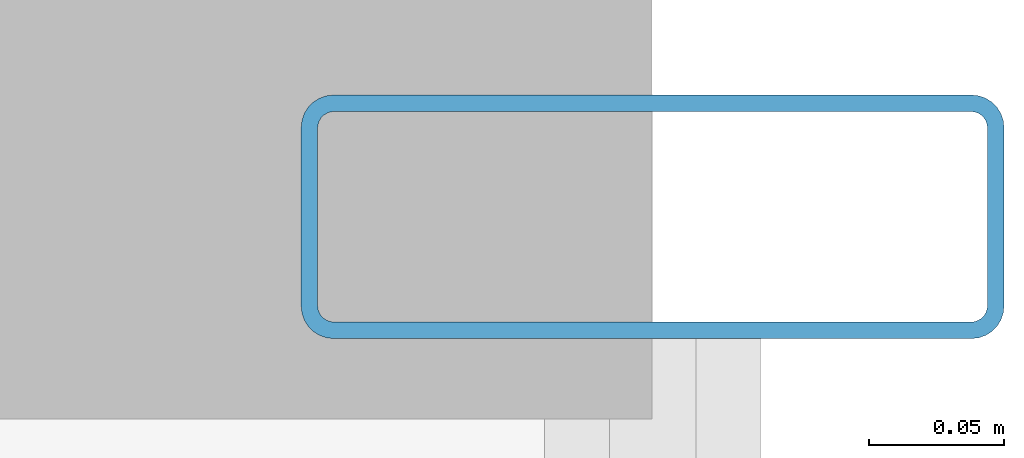
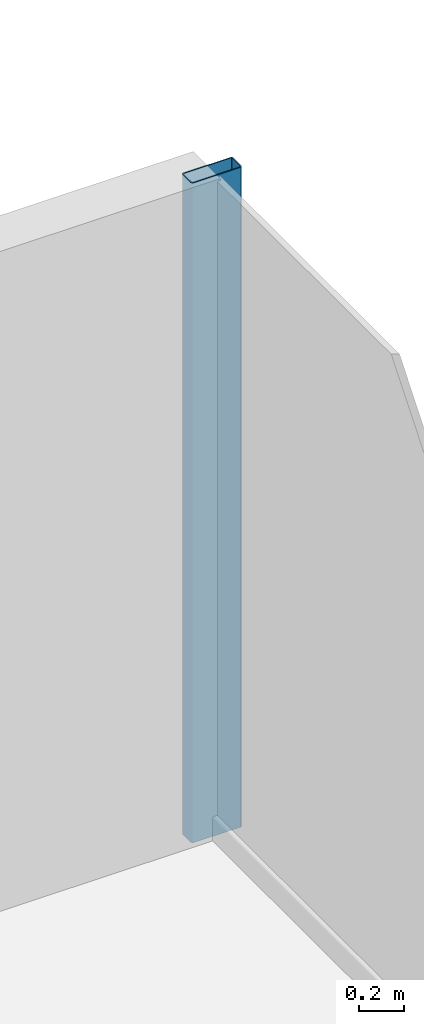
# One storey, part 18 of 26: 1 member, 1 element without a shape of its own.
"""IFC4 building model written with IfcOpenShell, lengths in metres."""

import ifcopenshell
import ifcopenshell.guid

model = None  # the IFC model being written
_history = None  # IfcOwnerHistory: only IFC2X3 demands one
_inside = {}  # id of a spatial element -> (the spatial element, [elements in it])
_under = {}  # id of a project, library or spatial element -> (it, [spatial elements below it])
_declared = {}  # id of a project -> (the project, [libraries it declares])
_typed = {}  # id of a type object -> (the type object, [elements of that type])
_made_of = {}  # id of a material, layer set ... -> (it, [elements and type objects made of it])


def new_model(schema):
    """Start an empty IFC model of exactly this schema.

    Asked for "IFC4X3", IfcOpenShell would pick the latest addendum, in which some entities
    have other attributes; the version numbers below select the first issue.
    IFC2X3 requires an IfcOwnerHistory on every rooted entity: one is made here for all.
    """
    global model, _history
    if schema == "IFC4X3":
        model = ifcopenshell.file(schema_version=(4, 3, 0, 0))
    else:
        model = ifcopenshell.file(schema=schema)
    _inside.clear()
    _under.clear()
    _declared.clear()
    _typed.clear()
    _made_of.clear()
    _history = None
    if model.schema == "IFC2X3":
        org = make("IfcOrganization", Name="unknown")
        user = make(
            "IfcPersonAndOrganization",
            ThePerson=make("IfcPerson", FamilyName="unknown"),
            TheOrganization=org,
        )
        app = make(
            "IfcApplication",
            ApplicationDeveloper=org,
            Version="unknown",
            ApplicationFullName="unknown",
            ApplicationIdentifier="unknown",
        )
        _history = make(
            "IfcOwnerHistory",
            OwningUser=user,
            OwningApplication=app,
            ChangeAction="ADDED",
            CreationDate=0,
        )
    return model


def make(cls, **values):
    """One entity of the class cls with the attributes given. An attribute that is None is left unset."""
    return model.create_entity(
        cls, **{name: value for name, value in values.items() if value is not None}
    )


def rooted(cls, **values):
    """An entity with a GlobalId (a new one), such as an element, a storey or a relation."""
    return make(cls, GlobalId=ifcopenshell.guid.new(), OwnerHistory=_history, **values)


def si_unit(unit_type, name, prefix=None):
    """IfcSIUnit, for example si_unit("LENGTHUNIT", "METRE", prefix="MILLI")."""
    return make("IfcSIUnit", UnitType=unit_type, Prefix=prefix, Name=name)


def assignment(units):
    """IfcUnitAssignment: the units of a project."""
    return None if units is None else make("IfcUnitAssignment", Units=units)


def point(xyz):
    """IfcCartesianPoint."""
    return None if xyz is None else make("IfcCartesianPoint", Coordinates=xyz)


def direction(xyz):
    """IfcDirection."""
    return None if xyz is None else make("IfcDirection", DirectionRatios=xyz)


def frame(location, z_axis=None, x_axis=None):
    """IfcAxis2Placement3D, a coordinate frame: its origin and axes. An axis left out is left unset."""
    return make(
        "IfcAxis2Placement3D",
        Location=point(location),
        Axis=direction(z_axis),
        RefDirection=direction(x_axis),
    )


def frame_2d(location, x_axis=None):
    """IfcAxis2Placement2D, a coordinate frame in the plane: its origin and x axis."""
    return make(
        "IfcAxis2Placement2D", Location=point(location), RefDirection=direction(x_axis)
    )


def origin():
    """The frame at (0, 0, 0) with its axes left unset."""
    return frame((0.0, 0.0, 0.0))


def origin_2d():
    """The frame at (0, 0) in the plane with its x axis left unset."""
    return frame_2d((0.0, 0.0))


def place(relative_to, where):
    """IfcLocalPlacement: puts the frame where relative to a parent placement (None: the world)."""
    return make(
        "IfcLocalPlacement", PlacementRelTo=relative_to, RelativePlacement=where
    )


def context(
    kind, dimensions, precision=None, world=None, true_north=None, identifier=None
):
    """IfcGeometricRepresentationContext, for example the 3D "Model" context."""
    return make(
        "IfcGeometricRepresentationContext",
        ContextIdentifier=identifier,
        ContextType=kind,
        CoordinateSpaceDimension=dimensions,
        Precision=precision,
        WorldCoordinateSystem=world,
        TrueNorth=true_north,
    )


def subcontext(parent, identifier, kind, view, scale=None):
    """IfcGeometricRepresentationSubContext, for example "Body" below "Model"."""
    return make(
        "IfcGeometricRepresentationSubContext",
        ContextIdentifier=identifier,
        ContextType=kind,
        ParentContext=parent,
        TargetScale=scale,
        TargetView=view,
    )


def project(units=None, contexts=None):
    """IfcProject with its units and contexts."""
    return rooted(
        "IfcProject",
        Name="project",
        RepresentationContexts=contexts,
        UnitsInContext=assignment(units),
    )


def spatial(cls, under=None, at=None, **own):
    """A site, building, storey or space (cls), placed at a placement, below another one or the project."""
    s = rooted(cls, ObjectPlacement=at, **own)
    if under is not None:
        _under.setdefault(under.id(), (under, []))[1].append(s)
    return s


def profile(cls, at=None, kind="AREA", **sizes):
    """A parametric profile (cls). Its sizes go by their IFC names, for example OverallWidth=200.0."""
    return make(cls, ProfileType=kind, Position=at, **sizes)


def hollow_rectangle(**sizes):
    """IfcRectangleHollowProfileDef."""
    return profile("IfcRectangleHollowProfileDef", **sizes)


def extrude(swept, where, along, depth):
    """IfcExtrudedAreaSolid: the profile swept, set in the frame where, extruded along a direction by depth."""
    return make(
        "IfcExtrudedAreaSolid",
        SweptArea=swept,
        Position=where,
        ExtrudedDirection=direction(along),
        Depth=depth,
    )


def shape(context_of_items, identifier, shape_type, items):
    """IfcShapeRepresentation: the items that make up one representation, for example the "Body"."""
    return make(
        "IfcShapeRepresentation",
        ContextOfItems=context_of_items,
        RepresentationIdentifier=identifier,
        RepresentationType=shape_type,
        Items=items,
    )


def source(mapping_origin, context_of_items, identifier, shape_type, items):
    """IfcRepresentationMap: a shape defined once, which mapped items show again and again."""
    return make(
        "IfcRepresentationMap",
        MappingOrigin=mapping_origin,
        MappedRepresentation=shape(context_of_items, identifier, shape_type, items),
    )


def transform(
    local_origin,
    x_axis=None,
    y_axis=None,
    z_axis=None,
    scale=None,
    scale2=None,
    scale3=None,
    uniform=True,
):
    """IfcCartesianTransformationOperator3D, or its non-uniform kind. x_axis, y_axis, z_axis: its Axis1, 2, 3."""
    if uniform:
        return make(
            "IfcCartesianTransformationOperator3D",
            Axis1=direction(x_axis),
            Axis2=direction(y_axis),
            LocalOrigin=point(local_origin),
            Scale=scale,
            Axis3=direction(z_axis),
        )
    return make(
        "IfcCartesianTransformationOperator3DnonUniform",
        Axis1=direction(x_axis),
        Axis2=direction(y_axis),
        LocalOrigin=point(local_origin),
        Scale=scale,
        Axis3=direction(z_axis),
        Scale2=scale2,
        Scale3=scale3,
    )


def mapped(mapping_source, mapping_target):
    """IfcMappedItem: shows the shape of a source again, moved by a transform."""
    return make(
        "IfcMappedItem", MappingSource=mapping_source, MappingTarget=mapping_target
    )


def material(Name=None, Category=None):
    """IfcMaterial."""
    return make("IfcMaterial", Name=Name, Category=Category)


def layer(
    of_material, thickness, ventilated=None, Name=None, Category=None, Priority=None
):
    """IfcMaterialLayer: one layer of a wall or slab, of a material (None: an air gap)."""
    return make(
        "IfcMaterialLayer",
        Material=of_material,
        LayerThickness=thickness,
        IsVentilated=ventilated,
        Name=Name,
        Category=Category,
        Priority=Priority,
    )


def layer_set(layers, Name=None):
    """IfcMaterialLayerSet."""
    return make("IfcMaterialLayerSet", MaterialLayers=layers, LayerSetName=Name)


def material_profile(
    of_material, cross_section, Name=None, Category=None, Priority=None
):
    """IfcMaterialProfile: a cross section and its material."""
    return make(
        "IfcMaterialProfile",
        Name=Name,
        Material=of_material,
        Profile=cross_section,
        Priority=Priority,
        Category=Category,
    )


def profile_set(profiles, Name=None, composite=None):
    """IfcMaterialProfileSet."""
    return make(
        "IfcMaterialProfileSet",
        Name=Name,
        MaterialProfiles=profiles,
        CompositeProfile=composite,
    )


def made_of(thing, what):
    """Note that an element or type object is made of a material, layer set ...; save() writes the relation."""
    if what is not None:
        _made_of.setdefault(what.id(), (what, []))[1].append(thing)
    return thing


def type_object(cls, material=None, **own):
    """A type object (cls), such as IfcWallType, which elements share."""
    return made_of(rooted(cls, **own), material)


def element(
    cls,
    number,
    at=None,
    inside=None,
    cuts=None,
    type_object=None,
    material=None,
    context=None,
    identifier="Body",
    shape_type=None,
    held_by="IfcProductDefinitionShape",
    body=None,
    shapes=None,
    **own,
):
    """One element of the class cls, such as IfcWall. Its Tag is "e" and its number.

    at: its placement. inside: the storey or other place that contains it. cuts: it is an
    opening in that element (IfcRelVoidsElement). A single representation is given by context,
    identifier, shape_type and body (its items); several are given by shapes. held_by: the class
    of the entity that holds the representations. save() writes the other relations.
    """
    e = rooted(cls, Tag="e%d" % number, ObjectPlacement=at, **own)
    if body is not None:
        shapes = [shape(context, identifier, shape_type, body)]
    if shapes is not None:
        e.Representation = make(held_by, Representations=shapes)
    if inside is not None:
        _inside.setdefault(inside.id(), (inside, []))[1].append(e)
    if cuts is not None:
        rooted(
            "IfcRelVoidsElement", RelatingBuildingElement=cuts, RelatedOpeningElement=e
        )
    if type_object is not None:
        _typed.setdefault(type_object.id(), (type_object, []))[1].append(e)
    return made_of(e, material)


def aggregate(whole, parts):
    """IfcRelAggregates: a whole, such as a stair, and the parts it consists of."""
    return rooted("IfcRelAggregates", RelatingObject=whole, RelatedObjects=parts)


def save(model, path):
    """Write the relations noted so far, then the file.

    IfcRelAggregates (storeys below a building ...), IfcRelContainedInSpatialStructure (elements
    in a storey), IfcRelDefinesByType, IfcRelAssociatesMaterial and IfcRelDeclares: one each for
    every whole, place, type object, material and project.
    """
    for whole, parts in _under.values():
        aggregate(whole, parts)
    for where, things in _inside.values():
        rooted(
            "IfcRelContainedInSpatialStructure",
            RelatedElements=things,
            RelatingStructure=where,
        )
    for kind, things in _typed.values():
        rooted("IfcRelDefinesByType", RelatedObjects=things, RelatingType=kind)
    for what, things in _made_of.values():
        rooted("IfcRelAssociatesMaterial", RelatedObjects=things, RelatingMaterial=what)
    for by, libraries in _declared.values():
        rooted("IfcRelDeclares", RelatingContext=by, RelatedDefinitions=libraries)
    model.write(path)


model = new_model("IFC4")

# Units and contexts
model_context = context("Model", 3, precision=1e-05, world=origin(), true_north=direction((0.0, 1.0)))
body_context = subcontext(model_context, "Body", "Model", "MODEL_VIEW")
ifc_project = project(units=[si_unit("LENGTHUNIT", "METRE"), si_unit("AREAUNIT", "SQUARE_METRE"), si_unit("VOLUMEUNIT", "CUBIC_METRE"), si_unit("PLANEANGLEUNIT", "RADIAN"), si_unit("MASSUNIT", "GRAM", prefix="KILO")], contexts=[model_context])

# Site, building, storey
site_placement = place(None, origin())
site = spatial("IfcSite", under=ifc_project, at=site_placement, CompositionType="ELEMENT")
building_placement = place(site_placement, origin())
building = spatial("IfcBuilding", under=site, at=building_placement, Name="Nefas-Gora Pilgrimage Tower", CompositionType="ELEMENT")
storey_placement = place(building_placement, frame((0.0, 0.0, 132.60009765625)))
storey = spatial("IfcBuildingStorey", under=building, at=storey_placement, Name="L32", CompositionType="ELEMENT", Elevation=132.60009765625)

# Curtain wall, member
ifc_material_1 = material(Name="Dark ceramic-fritted solar-control aluminium-glass curtain wall", Category="aluminium")
ifc_layer = layer(ifc_material_1, 0.219970703125)
ifc_layer_set = layer_set([ifc_layer], Name="Dark ceramic-fritted solar-control aluminium-glass curtain wall")
curtain_wall_type = type_object("IfcCurtainWallType", Name="CW-SYS-2", PredefinedType="NOTDEFINED", material=ifc_layer_set)
curtain_wall_placement = place(storey_placement, origin())
curtain_wall = element("IfcCurtainWall", 1, at=curtain_wall_placement, inside=storey, type_object=curtain_wall_type, Name="L32 Unitised Curtain Wall CW2", PredefinedType="NOTDEFINED")
ifc_material_2 = material(Name="Anodised architectural aluminium", Category="aluminium")
ifc_material_profile = material_profile(ifc_material_2, hollow_rectangle(XDim=0.090087890625, YDim=0.260009765625, WallThickness=0.006103515625, InnerFilletRadius=0.006103515625, OuterFilletRadius=0.011962890625, at=origin_2d()), Name="ALU MULLION 90x260")
ifc_profile_set = profile_set([ifc_material_profile], Name="Anodised architectural aluminium")
member_type = type_object("IfcMemberType", Name="CWM-MUL-2", PredefinedType="MULLION", material=ifc_profile_set)
shared_shape = source(origin(), body_context, "Body", "SweptSolid", [
    extrude(hollow_rectangle(XDim=0.090087890625, YDim=0.260009765625, WallThickness=0.006103515625, InnerFilletRadius=0.006103515625, OuterFilletRadius=0.011962890625, at=origin_2d()), origin(), (0.0, 0.0, 1.0), 3.5498046875),
])
member_placement = place(storey_placement, frame((34.27001953125, 17.574951171875, 0.0), z_axis=(0.0, 0.0, 1.0), x_axis=(0.0, 1.0, 0.0)))
member = element("IfcMember", 2, at=member_placement, type_object=member_type, Name="CW2 Mullion 2", PredefinedType="MULLION", context=body_context, shape_type="MappedRepresentation", body=[
    mapped(shared_shape, transform((0.0, 0.0, 0.0), x_axis=(1.0, 0.0, 0.0), y_axis=(0.0, 1.0, 0.0), z_axis=(0.0, 0.0, 1.0), scale=1.0)),
])
aggregate(curtain_wall, [member])

save(model, "model.ifc")
